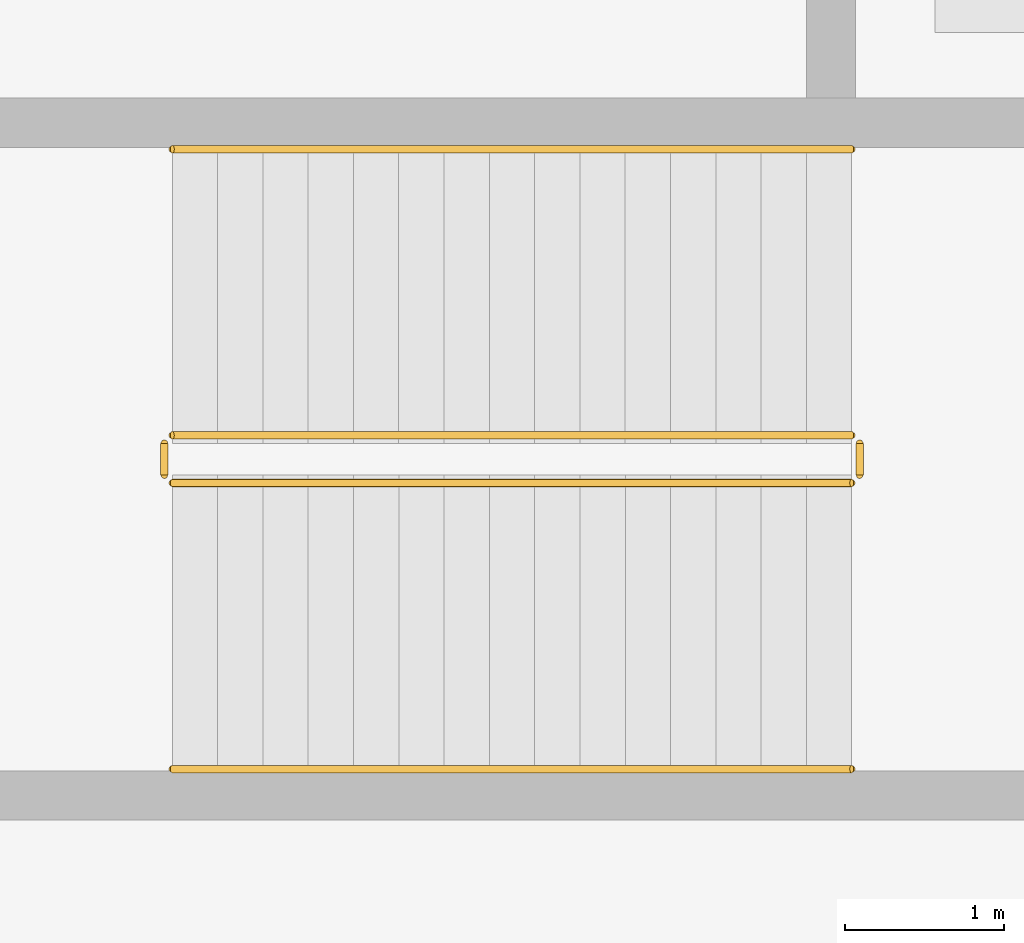
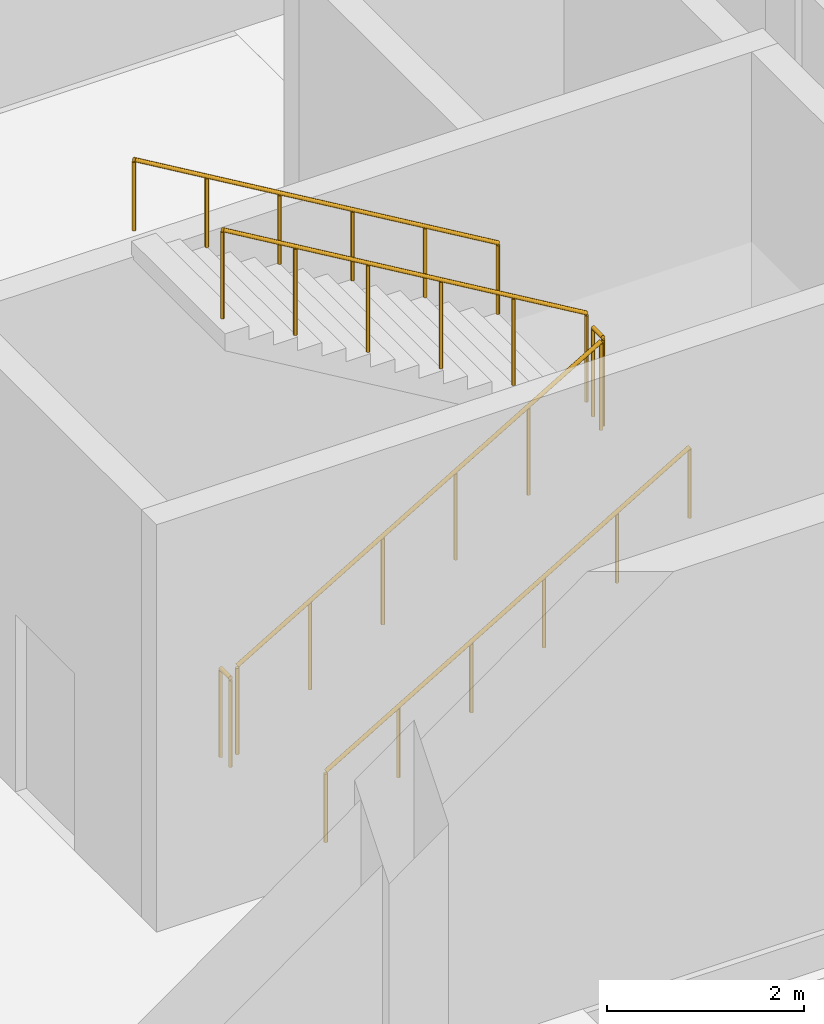
# One storey, part 39 of 41: 6 railings.
"""IFC4 building model written with IfcOpenShell, lengths in metres."""

from ifc_helpers import new_model, si_unit, direction, frame, origin, origin_2d, place, context, subcontext, project, spatial, circle, extrude, material, type_object, element, save


model = new_model("IFC4")

# Units and contexts
model_context = context("Model", 3, precision=1e-05, world=origin(), true_north=direction((0.0, 1.0)))
body_context = subcontext(model_context, "Body", "Model", "MODEL_VIEW")
ifc_project = project(units=[si_unit("LENGTHUNIT", "METRE"), si_unit("AREAUNIT", "SQUARE_METRE"), si_unit("VOLUMEUNIT", "CUBIC_METRE"), si_unit("PLANEANGLEUNIT", "RADIAN"), si_unit("MASSUNIT", "GRAM", prefix="KILO")], contexts=[model_context])

# Site, building, storey
site_placement = place(None, origin())
site = spatial("IfcSite", under=ifc_project, at=site_placement, CompositionType="ELEMENT")
building_placement = place(site_placement, origin())
building = spatial("IfcBuilding", under=site, at=building_placement, Name="Shalvenor Court Art Gallery", CompositionType="ELEMENT")
storey_placement = place(building_placement, frame((0.0, 0.0, -5.39990234375)))
storey = spatial("IfcBuildingStorey", under=building, at=storey_placement, Name="B01", CompositionType="ELEMENT", Elevation=-5.39990234375)

# Railings
ifc_material_1 = material(Name="Painted steel post-and-rail guard", Category="steel")
railing_type_1 = type_object("IfcRailingType", Name="GR-02", PredefinedType="GUARDRAIL", material=ifc_material_1)
railing_1_placement = place(storey_placement, frame((116.300048828125, 102.449951171875, 0.168701171875)))
element("IfcRailing", 1, at=railing_1_placement, inside=storey, type_object=railing_type_1, Name="B01 ST-05 Stair Guard 1", PredefinedType="GUARDRAIL", context=body_context, shape_type="SweptSolid", body=[
    extrude(circle(Radius=0.02392578125, at=origin_2d()), frame((0.0, 0.0, 1.09619140625), z_axis=(0.860470286479, 0.0, 0.509500624227), x_axis=(0.0, 1.0, 0.0)), (0.0, 0.0, 1.0), 4.968017578125),
    extrude(circle(Radius=0.02099609375, at=origin_2d()), origin(), (0.0, 0.0, 1.0), 1.072021484375),
    extrude(circle(Radius=0.02099609375, at=origin_2d()), frame((0.85498046875, 0.0, 0.50634765625)), (0.0, 0.0, 1.0), 1.072021484375),
    extrude(circle(Radius=0.02099609375, at=origin_2d()), frame((1.7099609375, 0.0, 1.012451171875)), (0.0, 0.0, 1.0), 1.072021484375),
    extrude(circle(Radius=0.02099609375, at=origin_2d()), frame((2.56494140625, 0.0, 1.518798828125)), (0.0, 0.0, 1.0), 1.072021484375),
    extrude(circle(Radius=0.02099609375, at=origin_2d()), frame((3.419921875, 0.0, 2.02490234375)), (0.0, 0.0, 1.0), 1.072021484375),
    extrude(circle(Radius=0.02099609375, at=origin_2d()), frame((4.27490234375, 0.0, 2.53125)), (0.0, 0.0, 1.0), 1.072021484375),
])
railing_2_placement = place(storey_placement, frame((120.625, 102.5, 2.699951171875)))
element("IfcRailing", 2, at=railing_2_placement, inside=storey, type_object=railing_type_1, Name="B01 ST-05 Stair Guard 2", PredefinedType="GUARDRAIL", context=body_context, shape_type="SweptSolid", body=[
    extrude(circle(Radius=0.02392578125, at=origin_2d()), frame((0.0, 0.0, 1.09619140625), z_axis=(0.0, 1.0, 0.0), x_axis=(-1.0, 0.0, 0.0)), (0.0, 0.0, 1.0), 0.199951171875),
    extrude(circle(Radius=0.02099609375, at=origin_2d()), origin(), (0.0, 0.0, 1.0), 1.072021484375),
    extrude(circle(Radius=0.02099609375, at=origin_2d()), frame((0.0, 0.199951171875, 0.0)), (0.0, 0.0, 1.0), 1.072021484375),
])
railing_3_placement = place(storey_placement, frame((120.574951171875, 102.75, 2.86865234375)))
element("IfcRailing", 3, at=railing_3_placement, inside=storey, type_object=railing_type_1, Name="B01 ST-05 Stair Guard 3", PredefinedType="GUARDRAIL", context=body_context, shape_type="SweptSolid", body=[
    extrude(circle(Radius=0.02392578125, at=origin_2d()), frame((0.0, 0.0, 1.09619140625), z_axis=(-0.860470286479, 0.0, 0.509500624227), x_axis=(0.0, -1.0, 0.0)), (0.0, 0.0, 1.0), 4.968017578125),
    extrude(circle(Radius=0.02099609375, at=origin_2d()), origin(), (0.0, 0.0, 1.0), 1.072021484375),
    extrude(circle(Radius=0.02099609375, at=origin_2d()), frame((-0.85498046875, 0.0, 0.50634765625)), (0.0, 0.0, 1.0), 1.072021484375),
    extrude(circle(Radius=0.02099609375, at=origin_2d()), frame((-1.7099609375, 0.0, 1.012451171875)), (0.0, 0.0, 1.0), 1.072021484375),
    extrude(circle(Radius=0.02099609375, at=origin_2d()), frame((-2.56494140625, 0.0, 1.518798828125)), (0.0, 0.0, 1.0), 1.072021484375),
    extrude(circle(Radius=0.02099609375, at=origin_2d()), frame((-3.419921875, 0.0, 2.02490234375)), (0.0, 0.0, 1.0), 1.072021484375),
    extrude(circle(Radius=0.02099609375, at=origin_2d()), frame((-4.27490234375, 0.0, 2.53125)), (0.0, 0.0, 1.0), 1.072021484375),
])
railing_4_placement = place(storey_placement, frame((116.25, 102.5, 0.0)))
element("IfcRailing", 4, at=railing_4_placement, inside=storey, type_object=railing_type_1, Name="B01 ST-05 Stair Guard 4", PredefinedType="GUARDRAIL", context=body_context, shape_type="SweptSolid", body=[
    extrude(circle(Radius=0.02392578125, at=origin_2d()), frame((0.0, 0.0, 1.09619140625), z_axis=(0.0, 1.0, 0.0), x_axis=(-1.0, 0.0, 0.0)), (0.0, 0.0, 1.0), 0.199951171875),
    extrude(circle(Radius=0.02099609375, at=origin_2d()), origin(), (0.0, 0.0, 1.0), 1.072021484375),
    extrude(circle(Radius=0.02099609375, at=origin_2d()), frame((0.0, 0.199951171875, 0.0)), (0.0, 0.0, 1.0), 1.072021484375),
])
ifc_material_2 = material(Name="Brushed stainless steel handrail", Category="steel")
railing_type_2 = type_object("IfcRailingType", Name="HR-01", PredefinedType="HANDRAIL", material=ifc_material_2)
railing_5_placement = place(storey_placement, frame((116.300048828125, 100.64990234375, 0.168701171875)))
element("IfcRailing", 5, at=railing_5_placement, inside=storey, type_object=railing_type_2, Name="B01 ST-05 Stair Handrail 1", PredefinedType="HANDRAIL", context=body_context, shape_type="SweptSolid", body=[
    extrude(circle(Radius=0.02392578125, at=origin_2d()), frame((0.0, 0.0, 0.8759765625), z_axis=(0.860470286479, 0.0, 0.509500624227), x_axis=(0.0, 1.0, 0.0)), (0.0, 0.0, 1.0), 4.968017578125),
    extrude(circle(Radius=0.02099609375, at=origin_2d()), origin(), (0.0, 0.0, 1.0), 0.851806640625),
    extrude(circle(Radius=0.02099609375, at=origin_2d()), frame((0.85498046875, 0.0, 0.50634765625)), (0.0, 0.0, 1.0), 0.851806640625),
    extrude(circle(Radius=0.02099609375, at=origin_2d()), frame((1.7099609375, 0.0, 1.012451171875)), (0.0, 0.0, 1.0), 0.851806640625),
    extrude(circle(Radius=0.02099609375, at=origin_2d()), frame((2.56494140625, 0.0, 1.518798828125)), (0.0, 0.0, 1.0), 0.851806640625),
    extrude(circle(Radius=0.02099609375, at=origin_2d()), frame((3.419921875, 0.0, 2.02490234375)), (0.0, 0.0, 1.0), 0.851806640625),
    extrude(circle(Radius=0.02099609375, at=origin_2d()), frame((4.27490234375, 0.0, 2.53125)), (0.0, 0.0, 1.0), 0.851806640625),
])
railing_6_placement = place(storey_placement, frame((120.574951171875, 104.550048828125, 2.86865234375)))
element("IfcRailing", 6, at=railing_6_placement, inside=storey, type_object=railing_type_2, Name="B01 ST-05 Stair Handrail 2", PredefinedType="HANDRAIL", context=body_context, shape_type="SweptSolid", body=[
    extrude(circle(Radius=0.02392578125, at=origin_2d()), frame((0.0, 0.0, 0.8759765625), z_axis=(-0.860470286479, 0.0, 0.509500624227), x_axis=(0.0, -1.0, 0.0)), (0.0, 0.0, 1.0), 4.968017578125),
    extrude(circle(Radius=0.02099609375, at=origin_2d()), origin(), (0.0, 0.0, 1.0), 0.851806640625),
    extrude(circle(Radius=0.02099609375, at=origin_2d()), frame((-0.85498046875, 0.0, 0.50634765625)), (0.0, 0.0, 1.0), 0.851806640625),
    extrude(circle(Radius=0.02099609375, at=origin_2d()), frame((-1.7099609375, 0.0, 1.012451171875)), (0.0, 0.0, 1.0), 0.851806640625),
    extrude(circle(Radius=0.02099609375, at=origin_2d()), frame((-2.56494140625, 0.0, 1.518798828125)), (0.0, 0.0, 1.0), 0.851806640625),
    extrude(circle(Radius=0.02099609375, at=origin_2d()), frame((-3.419921875, 0.0, 2.02490234375)), (0.0, 0.0, 1.0), 0.851806640625),
    extrude(circle(Radius=0.02099609375, at=origin_2d()), frame((-4.27490234375, 0.0, 2.53125)), (0.0, 0.0, 1.0), 0.851806640625),
])

save(model, "model.ifc")
